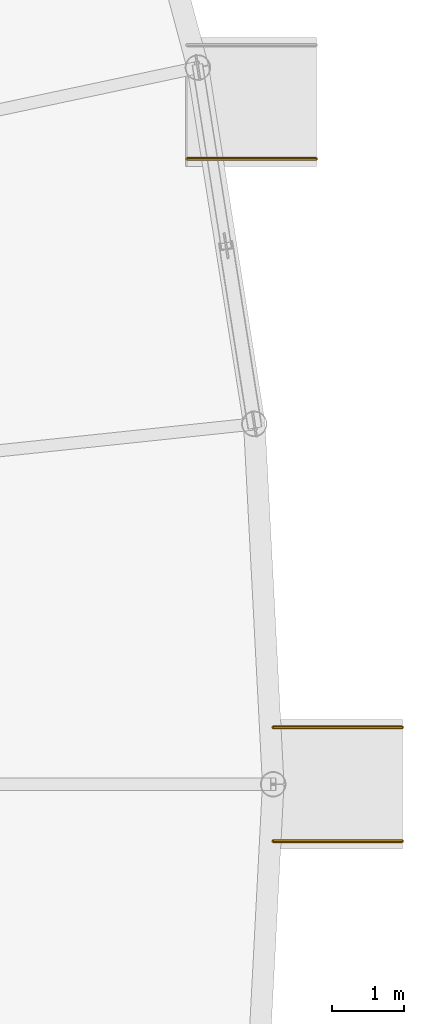
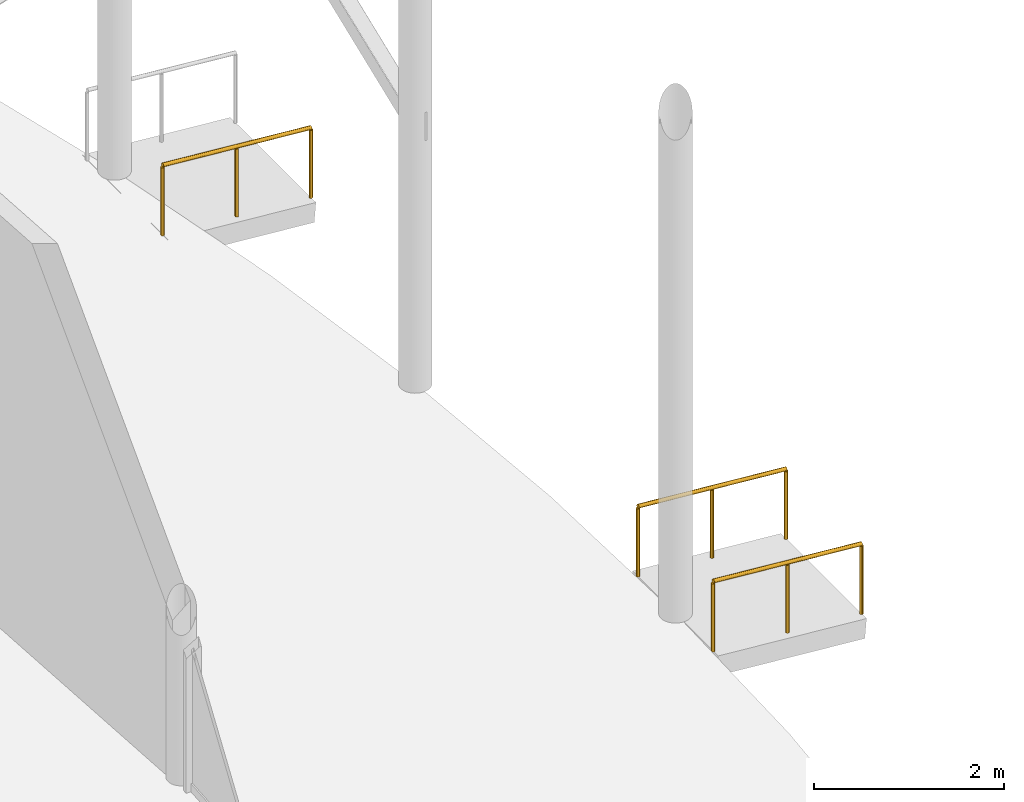
# One storey, part 154 of 158: 3 railings, 2 elements without a shape of their own.
"""IFC4 building model written with IfcOpenShell, lengths in metres."""

from ifc_helpers import new_model, si_unit, derived_unit, direction, frame, origin, origin_2d, place, context, subcontext, project, spatial, circle, extrude, material, type_object, element, aggregate, save


model = new_model("IFC4")

# Units and contexts
model_context = context("Model", 3, precision=1e-05, world=origin(), true_north=direction((0.0, 1.0)))
body_context = subcontext(model_context, "Body", "Model", "MODEL_VIEW")
ifc_project = project(units=[si_unit("LENGTHUNIT", "METRE"), si_unit("AREAUNIT", "SQUARE_METRE"), si_unit("VOLUMEUNIT", "CUBIC_METRE"), si_unit("PLANEANGLEUNIT", "RADIAN"), si_unit("MASSUNIT", "GRAM", prefix="KILO"), si_unit("THERMODYNAMICTEMPERATUREUNIT", "KELVIN"), si_unit("TIMEUNIT", "SECOND"), derived_unit("THERMALTRANSMITTANCEUNIT", [(si_unit("MASSUNIT", "GRAM", prefix="KILO"), 1), (si_unit("THERMODYNAMICTEMPERATUREUNIT", "KELVIN"), -1), (si_unit("TIMEUNIT", "SECOND"), -3)])], contexts=[model_context])

# Site, building, storey
site_placement = place(None, origin())
site = spatial("IfcSite", under=ifc_project, at=site_placement, CompositionType="ELEMENT")
building_placement = place(site_placement, origin())
building = spatial("IfcBuilding", under=site, at=building_placement, Name="Cambertide Market Hall", CompositionType="ELEMENT")
storey_placement = place(building_placement, origin())
storey = spatial("IfcBuildingStorey", under=building, at=storey_placement, Name="L01", CompositionType="ELEMENT", Elevation=0.0)

# Ramp, railing
ifc_material_1 = material(Name="Flamed Central-Vietnam Granite Paving", Category="masonry")
ramp_type = type_object("IfcRampType", Name="Exterior Accessible Entry Ramp", PredefinedType="STRAIGHT_RUN_RAMP", material=ifc_material_1)
ramp_1_placement = place(storey_placement, origin())
ramp_1 = element("IfcRamp", 1, at=ramp_1_placement, inside=storey, type_object=ramp_type, Name="Promenade North Entry Accessible Ramp PR-02", PredefinedType="STRAIGHT_RUN_RAMP")
ifc_material_2 = material(Name="Stainless Steel Grade 316", Category="metal")
railing_type = type_object("IfcRailingType", Name="Exterior Plinth Ramp Handrail 920", PredefinedType="HANDRAIL", material=ifc_material_2)
railing_1_placement = place(storey_placement, frame((192.60009765625, 74.7080078125, -0.14990234375)))
railing_1 = element("IfcRailing", 2, at=railing_1_placement, type_object=railing_type, Name="Promenade North Entry Accessible Ramp PR-02 Handrail 2", PredefinedType="HANDRAIL", context=body_context, shape_type="SweptSolid", body=[
    extrude(circle(Radius=0.02392578125, at=origin_2d()), frame((0.0, 0.0, 0.89599609375), z_axis=(-0.996550417439, 0.0, 0.082989550564), x_axis=(0.0, -1.0, 0.0)), (0.0, 0.0, 1.0), 1.806396484375),
    extrude(circle(Radius=0.02099609375, at=origin_2d()), origin(), (0.0, 0.0, 1.0), 0.871826171875),
    extrude(circle(Radius=0.02099609375, at=origin_2d()), frame((-0.89990234375, 0.0, 0.074951171875)), (0.0, 0.0, 1.0), 0.871826171875),
    extrude(circle(Radius=0.02099609375, at=origin_2d()), frame((-1.800048828125, 0.0, 0.14990234375)), (0.0, 0.0, 1.0), 0.871826171875),
])
aggregate(ramp_1, [railing_1])

# Ramp, railings
ramp_2_placement = place(storey_placement, origin())
ramp_2 = element("IfcRamp", 3, at=ramp_2_placement, inside=storey, type_object=ramp_type, Name="Promenade Central Entry Accessible Ramp PR-03", PredefinedType="STRAIGHT_RUN_RAMP")
railing_2_placement = place(storey_placement, frame((193.800048828125, 66.7919921875, -0.14990234375)))
railing_2 = element("IfcRailing", 4, at=railing_2_placement, type_object=railing_type, Name="Promenade Central Entry Accessible Ramp PR-03 Handrail 1", PredefinedType="HANDRAIL", context=body_context, shape_type="SweptSolid", body=[
    extrude(circle(Radius=0.02392578125, at=origin_2d()), frame((0.0, 0.0, 0.89599609375), z_axis=(-0.996550417439, 0.0, 0.082989550564), x_axis=(0.0, -1.0, 0.0)), (0.0, 0.0, 1.0), 1.806396484375),
    extrude(circle(Radius=0.02099609375, at=origin_2d()), origin(), (0.0, 0.0, 1.0), 0.871826171875),
    extrude(circle(Radius=0.02099609375, at=origin_2d()), frame((-0.89990234375, 0.0, 0.074951171875)), (0.0, 0.0, 1.0), 0.871826171875),
    extrude(circle(Radius=0.02099609375, at=origin_2d()), frame((-1.800048828125, 0.0, 0.14990234375)), (0.0, 0.0, 1.0), 0.871826171875),
])
railing_3_placement = place(storey_placement, frame((193.800048828125, 65.2080078125, -0.14990234375)))
railing_3 = element("IfcRailing", 5, at=railing_3_placement, type_object=railing_type, Name="Promenade Central Entry Accessible Ramp PR-03 Handrail 2", PredefinedType="HANDRAIL", context=body_context, shape_type="SweptSolid", body=[
    extrude(circle(Radius=0.02392578125, at=origin_2d()), frame((0.0, 0.0, 0.89599609375), z_axis=(-0.996550417439, 0.0, 0.082989550564), x_axis=(0.0, -1.0, 0.0)), (0.0, 0.0, 1.0), 1.806396484375),
    extrude(circle(Radius=0.02099609375, at=origin_2d()), origin(), (0.0, 0.0, 1.0), 0.871826171875),
    extrude(circle(Radius=0.02099609375, at=origin_2d()), frame((-0.89990234375, 0.0, 0.074951171875)), (0.0, 0.0, 1.0), 0.871826171875),
    extrude(circle(Radius=0.02099609375, at=origin_2d()), frame((-1.800048828125, 0.0, 0.14990234375)), (0.0, 0.0, 1.0), 0.871826171875),
])
aggregate(ramp_2, [railing_2, railing_3])

save(model, "model.ifc")
